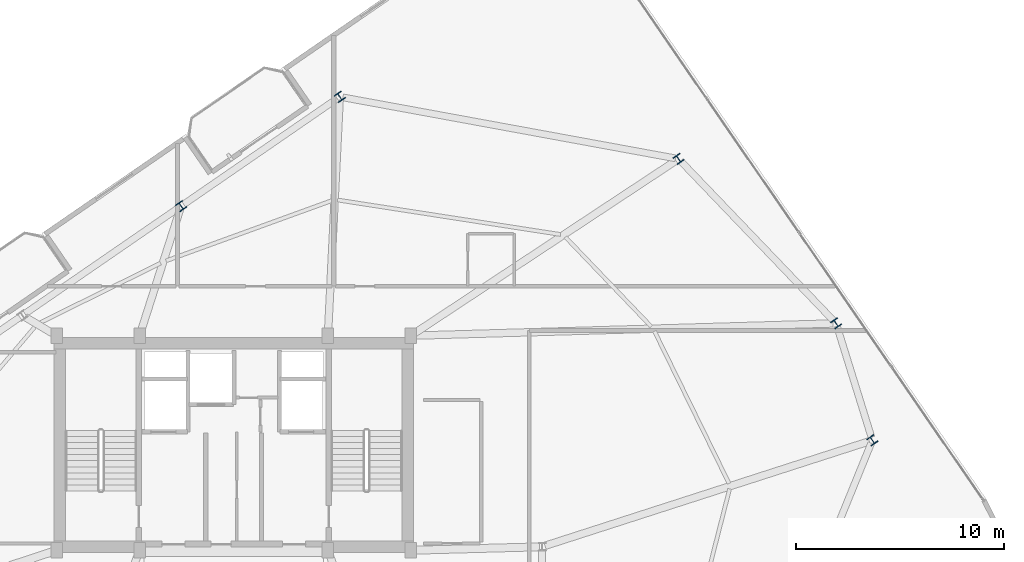
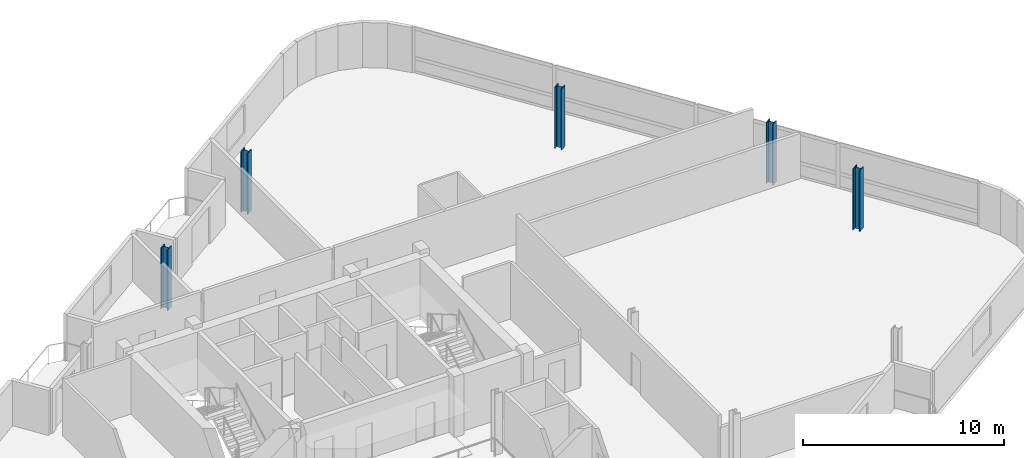
# One storey, part 2 of 21: 5 columns.
"""IFC4 building model written with IfcOpenShell, lengths in metres."""

from ifc_helpers import new_model, si_unit, direction, frame, origin, origin_2d, place, context, subcontext, project, spatial, i_section, extrude, material, material_profile, profile_set, type_object, element, save


model = new_model("IFC4")

# Units and contexts
model_context = context("Model", 3, precision=1e-05, world=origin(), true_north=direction((0.0, 1.0)))
body_context = subcontext(model_context, "Body", "Model", "MODEL_VIEW")
ifc_project = project(units=[si_unit("LENGTHUNIT", "METRE"), si_unit("AREAUNIT", "SQUARE_METRE"), si_unit("VOLUMEUNIT", "CUBIC_METRE"), si_unit("PLANEANGLEUNIT", "RADIAN"), si_unit("MASSUNIT", "GRAM", prefix="KILO")], contexts=[model_context])

# Site, building, storey
site_placement = place(None, origin())
site = spatial("IfcSite", under=ifc_project, at=site_placement, CompositionType="ELEMENT")
building_placement = place(site_placement, origin())
building = spatial("IfcBuilding", under=site, at=building_placement, Name="Varnelok Gate Tower", CompositionType="ELEMENT")
storey_placement = place(building_placement, frame((0.0, 0.0, 265.60009765625)))
storey = spatial("IfcBuildingStorey", under=building, at=storey_placement, Name="L68", CompositionType="ELEMENT", Elevation=265.60009765625)

# Columns
ifc_material = material(Name="Structural Steel ASTM A992 Grade 50", Category="steel")
ifc_material_profile = material_profile(ifc_material, i_section(OverallWidth=0.40087890625, OverallDepth=0.39892578125, WebThickness=0.02490234375, FlangeThickness=0.03955078125, FilletRadius=0.02197265625, at=origin_2d()), Name="W14X211")
ifc_profile_set = profile_set([ifc_material_profile], Name="Structural Steel ASTM A992 Grade 50")
column_type = type_object("IfcColumnType", Name="COL-W14X211", PredefinedType="COLUMN", material=ifc_profile_set)
for number, where, z_axis, x_axis, name in (
    (1, (69.856689453125, 34.031494140625, 0.0), (0.0, 0.0, 1.0), (0.823532597628, 0.567268949127, 0.0), "L68 B6 Perimeter Column PC06"),
    (2, (68.115478515625, 39.644287109375, 0.0), (0.0, 0.0, 1.0), (0.823532597628, 0.567268949127, 0.0), "L68 B6 Perimeter Column PC07"),
    (3, (60.5537109375, 47.537353515625, 0.0), (0.0, 0.0, 1.0), (0.823532597628, 0.567268949127, 0.0), "L68 B6 Perimeter Column PC08"),
    (4, (44.29248046875, 50.519287109375, 0.0), (0.0, 0.0, 1.0), (0.823532597628, 0.567268949127, 0.0), "L68 B6 Perimeter Column PC09"),
    (5, (36.6748046875, 45.27197265625, 0.0), (0.0, 0.0, 1.0), (0.823532597628, 0.567268949127, 0.0), "L68 B6 Perimeter Column PC10"),
):
    element("IfcColumn", number, at=place(storey_placement, frame(where, z_axis=z_axis, x_axis=x_axis)), inside=storey, type_object=column_type, Name=name, PredefinedType="COLUMN", context=body_context, shape_type="SweptSolid", body=[
        extrude(i_section(OverallWidth=0.40087890625, OverallDepth=0.39892578125, WebThickness=0.02490234375, FlangeThickness=0.03955078125, FilletRadius=0.02197265625, at=origin_2d()), origin(), (0.0, 0.0, 1.0), 3.699951171875),
    ])

save(model, "model.ifc")
